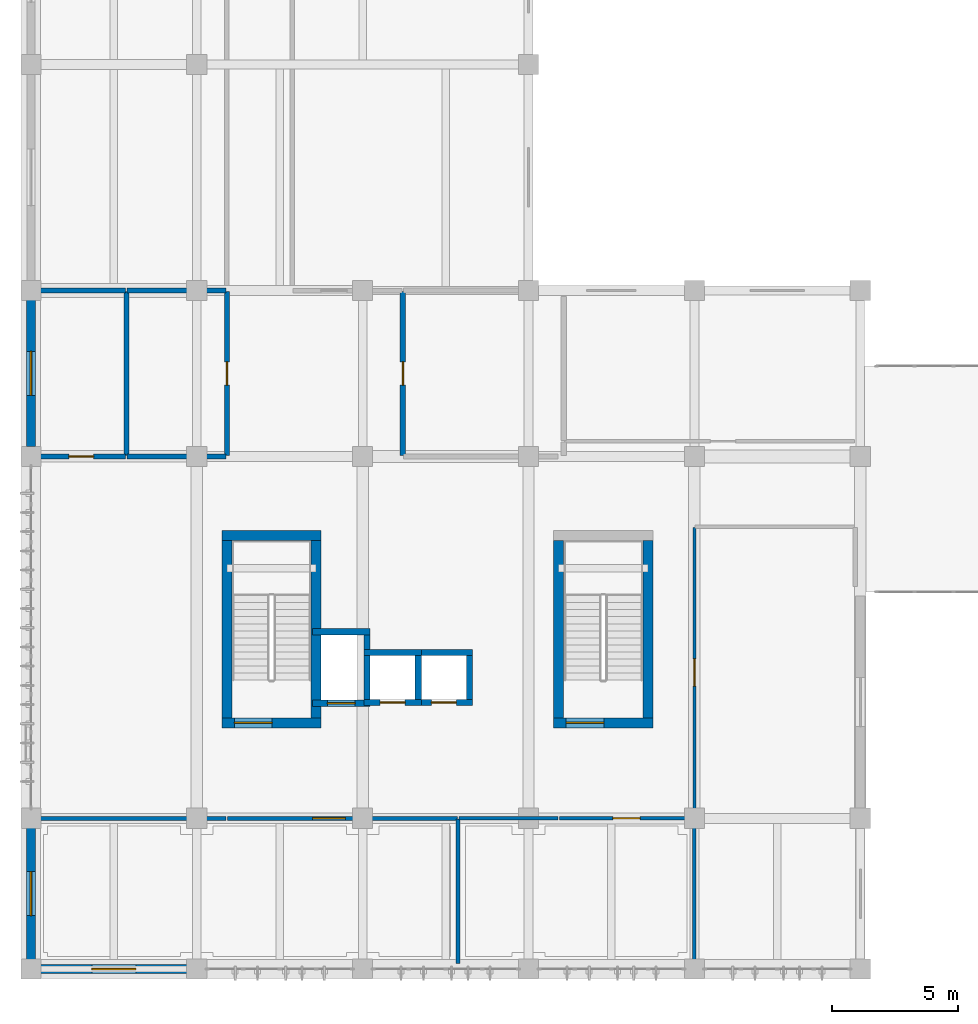
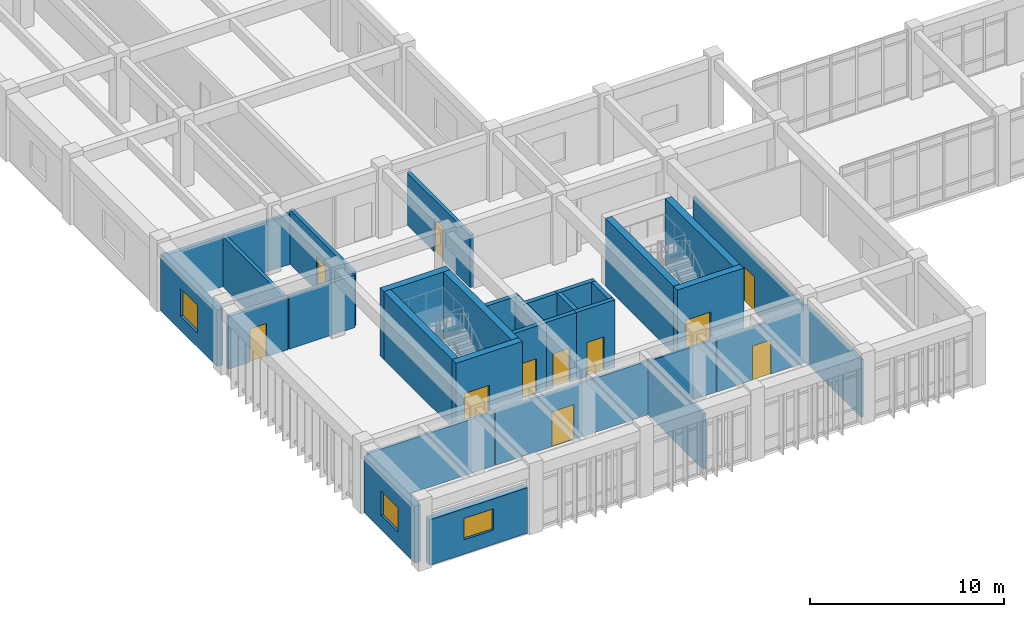
# One storey, part 41 of 54: 33 walls, 11 doors, 3 windows, 14 openings.
"""IFC4 building model written with IfcOpenShell, lengths in metres."""

import ifcopenshell
import ifcopenshell.guid

model = None  # the IFC model being written
_history = None  # IfcOwnerHistory: only IFC2X3 demands one
_inside = {}  # id of a spatial element -> (the spatial element, [elements in it])
_under = {}  # id of a project, library or spatial element -> (it, [spatial elements below it])
_declared = {}  # id of a project -> (the project, [libraries it declares])
_typed = {}  # id of a type object -> (the type object, [elements of that type])
_made_of = {}  # id of a material, layer set ... -> (it, [elements and type objects made of it])


def new_model(schema):
    """Start an empty IFC model of exactly this schema.

    Asked for "IFC4X3", IfcOpenShell would pick the latest addendum, in which some entities
    have other attributes; the version numbers below select the first issue.
    IFC2X3 requires an IfcOwnerHistory on every rooted entity: one is made here for all.
    """
    global model, _history
    if schema == "IFC4X3":
        model = ifcopenshell.file(schema_version=(4, 3, 0, 0))
    else:
        model = ifcopenshell.file(schema=schema)
    _inside.clear()
    _under.clear()
    _declared.clear()
    _typed.clear()
    _made_of.clear()
    _history = None
    if model.schema == "IFC2X3":
        org = make("IfcOrganization", Name="unknown")
        user = make(
            "IfcPersonAndOrganization",
            ThePerson=make("IfcPerson", FamilyName="unknown"),
            TheOrganization=org,
        )
        app = make(
            "IfcApplication",
            ApplicationDeveloper=org,
            Version="unknown",
            ApplicationFullName="unknown",
            ApplicationIdentifier="unknown",
        )
        _history = make(
            "IfcOwnerHistory",
            OwningUser=user,
            OwningApplication=app,
            ChangeAction="ADDED",
            CreationDate=0,
        )
    return model


def make(cls, **values):
    """One entity of the class cls with the attributes given. An attribute that is None is left unset."""
    return model.create_entity(
        cls, **{name: value for name, value in values.items() if value is not None}
    )


def rooted(cls, **values):
    """An entity with a GlobalId (a new one), such as an element, a storey or a relation."""
    return make(cls, GlobalId=ifcopenshell.guid.new(), OwnerHistory=_history, **values)


def si_unit(unit_type, name, prefix=None):
    """IfcSIUnit, for example si_unit("LENGTHUNIT", "METRE", prefix="MILLI")."""
    return make("IfcSIUnit", UnitType=unit_type, Prefix=prefix, Name=name)


def assignment(units):
    """IfcUnitAssignment: the units of a project."""
    return None if units is None else make("IfcUnitAssignment", Units=units)


def point(xyz):
    """IfcCartesianPoint."""
    return None if xyz is None else make("IfcCartesianPoint", Coordinates=xyz)


def direction(xyz):
    """IfcDirection."""
    return None if xyz is None else make("IfcDirection", DirectionRatios=xyz)


def frame(location, z_axis=None, x_axis=None):
    """IfcAxis2Placement3D, a coordinate frame: its origin and axes. An axis left out is left unset."""
    return make(
        "IfcAxis2Placement3D",
        Location=point(location),
        Axis=direction(z_axis),
        RefDirection=direction(x_axis),
    )


def frame_2d(location, x_axis=None):
    """IfcAxis2Placement2D, a coordinate frame in the plane: its origin and x axis."""
    return make(
        "IfcAxis2Placement2D", Location=point(location), RefDirection=direction(x_axis)
    )


def origin():
    """The frame at (0, 0, 0) with its axes left unset."""
    return frame((0.0, 0.0, 0.0))


def place(relative_to, where):
    """IfcLocalPlacement: puts the frame where relative to a parent placement (None: the world)."""
    return make(
        "IfcLocalPlacement", PlacementRelTo=relative_to, RelativePlacement=where
    )


def context(
    kind, dimensions, precision=None, world=None, true_north=None, identifier=None
):
    """IfcGeometricRepresentationContext, for example the 3D "Model" context."""
    return make(
        "IfcGeometricRepresentationContext",
        ContextIdentifier=identifier,
        ContextType=kind,
        CoordinateSpaceDimension=dimensions,
        Precision=precision,
        WorldCoordinateSystem=world,
        TrueNorth=true_north,
    )


def subcontext(parent, identifier, kind, view, scale=None):
    """IfcGeometricRepresentationSubContext, for example "Body" below "Model"."""
    return make(
        "IfcGeometricRepresentationSubContext",
        ContextIdentifier=identifier,
        ContextType=kind,
        ParentContext=parent,
        TargetScale=scale,
        TargetView=view,
    )


def project(units=None, contexts=None):
    """IfcProject with its units and contexts."""
    return rooted(
        "IfcProject",
        Name="project",
        RepresentationContexts=contexts,
        UnitsInContext=assignment(units),
    )


def spatial(cls, under=None, at=None, **own):
    """A site, building, storey or space (cls), placed at a placement, below another one or the project."""
    s = rooted(cls, ObjectPlacement=at, **own)
    if under is not None:
        _under.setdefault(under.id(), (under, []))[1].append(s)
    return s


def profile(cls, at=None, kind="AREA", **sizes):
    """A parametric profile (cls). Its sizes go by their IFC names, for example OverallWidth=200.0."""
    return make(cls, ProfileType=kind, Position=at, **sizes)


def rectangle(**sizes):
    """IfcRectangleProfileDef."""
    return profile("IfcRectangleProfileDef", **sizes)


def extrude(swept, where, along, depth):
    """IfcExtrudedAreaSolid: the profile swept, set in the frame where, extruded along a direction by depth."""
    return make(
        "IfcExtrudedAreaSolid",
        SweptArea=swept,
        Position=where,
        ExtrudedDirection=direction(along),
        Depth=depth,
    )


def shape(context_of_items, identifier, shape_type, items):
    """IfcShapeRepresentation: the items that make up one representation, for example the "Body"."""
    return make(
        "IfcShapeRepresentation",
        ContextOfItems=context_of_items,
        RepresentationIdentifier=identifier,
        RepresentationType=shape_type,
        Items=items,
    )


def material(Name=None, Category=None):
    """IfcMaterial."""
    return make("IfcMaterial", Name=Name, Category=Category)


def layer(
    of_material, thickness, ventilated=None, Name=None, Category=None, Priority=None
):
    """IfcMaterialLayer: one layer of a wall or slab, of a material (None: an air gap)."""
    return make(
        "IfcMaterialLayer",
        Material=of_material,
        LayerThickness=thickness,
        IsVentilated=ventilated,
        Name=Name,
        Category=Category,
        Priority=Priority,
    )


def layer_set(layers, Name=None):
    """IfcMaterialLayerSet."""
    return make("IfcMaterialLayerSet", MaterialLayers=layers, LayerSetName=Name)


def made_of(thing, what):
    """Note that an element or type object is made of a material, layer set ...; save() writes the relation."""
    if what is not None:
        _made_of.setdefault(what.id(), (what, []))[1].append(thing)
    return thing


def type_object(cls, material=None, **own):
    """A type object (cls), such as IfcWallType, which elements share."""
    return made_of(rooted(cls, **own), material)


def element(
    cls,
    number,
    at=None,
    inside=None,
    cuts=None,
    type_object=None,
    material=None,
    context=None,
    identifier="Body",
    shape_type=None,
    held_by="IfcProductDefinitionShape",
    body=None,
    shapes=None,
    **own,
):
    """One element of the class cls, such as IfcWall. Its Tag is "e" and its number.

    at: its placement. inside: the storey or other place that contains it. cuts: it is an
    opening in that element (IfcRelVoidsElement). A single representation is given by context,
    identifier, shape_type and body (its items); several are given by shapes. held_by: the class
    of the entity that holds the representations. save() writes the other relations.
    """
    e = rooted(cls, Tag="e%d" % number, ObjectPlacement=at, **own)
    if body is not None:
        shapes = [shape(context, identifier, shape_type, body)]
    if shapes is not None:
        e.Representation = make(held_by, Representations=shapes)
    if inside is not None:
        _inside.setdefault(inside.id(), (inside, []))[1].append(e)
    if cuts is not None:
        rooted(
            "IfcRelVoidsElement", RelatingBuildingElement=cuts, RelatedOpeningElement=e
        )
    if type_object is not None:
        _typed.setdefault(type_object.id(), (type_object, []))[1].append(e)
    return made_of(e, material)


def fill(opening, filler):
    """IfcRelFillsElement: the door or window that sits in an opening."""
    return rooted(
        "IfcRelFillsElement",
        RelatingOpeningElement=opening,
        RelatedBuildingElement=filler,
    )


def aggregate(whole, parts):
    """IfcRelAggregates: a whole, such as a stair, and the parts it consists of."""
    return rooted("IfcRelAggregates", RelatingObject=whole, RelatedObjects=parts)


def save(model, path):
    """Write the relations noted so far, then the file.

    IfcRelAggregates (storeys below a building ...), IfcRelContainedInSpatialStructure (elements
    in a storey), IfcRelDefinesByType, IfcRelAssociatesMaterial and IfcRelDeclares: one each for
    every whole, place, type object, material and project.
    """
    for whole, parts in _under.values():
        aggregate(whole, parts)
    for where, things in _inside.values():
        rooted(
            "IfcRelContainedInSpatialStructure",
            RelatedElements=things,
            RelatingStructure=where,
        )
    for kind, things in _typed.values():
        rooted("IfcRelDefinesByType", RelatedObjects=things, RelatingType=kind)
    for what, things in _made_of.values():
        rooted("IfcRelAssociatesMaterial", RelatedObjects=things, RelatingMaterial=what)
    for by, libraries in _declared.values():
        rooted("IfcRelDeclares", RelatingContext=by, RelatedDefinitions=libraries)
    model.write(path)


model = new_model("IFC4")

# Units and contexts
model_context = context("Model", 3, precision=1e-05, world=origin(), true_north=direction((0.0, 1.0)))
body_context = subcontext(model_context, "Body", "Model", "MODEL_VIEW")
ifc_project = project(units=[si_unit("LENGTHUNIT", "METRE"), si_unit("AREAUNIT", "SQUARE_METRE"), si_unit("VOLUMEUNIT", "CUBIC_METRE"), si_unit("PLANEANGLEUNIT", "RADIAN"), si_unit("MASSUNIT", "GRAM", prefix="KILO")], contexts=[model_context])

# Site, building, storey
site_placement = place(None, origin())
site = spatial("IfcSite", under=ifc_project, at=site_placement, CompositionType="ELEMENT")
building_placement = place(site_placement, origin())
building = spatial("IfcBuilding", under=site, at=building_placement, Name="Miralva Faculty of Natural Sciences", CompositionType="ELEMENT")
storey_placement = place(building_placement, frame((0.0, 0.0, 19.5)))
storey = spatial("IfcBuildingStorey", under=building, at=storey_placement, Name="L04", CompositionType="ELEMENT", Elevation=19.5)

# Wall, opening, door
ifc_material_1 = material(Name="Concrete C50/60", Category="concrete")
ifc_layer_1 = layer(ifc_material_1, 0.39990234375, Name="WL-CW01")
ifc_layer_set_1 = layer_set([ifc_layer_1], Name="Concrete C50/60")
wall_type_1 = type_object("IfcWallType", Name="WL-CW01", PredefinedType="SHEAR", material=ifc_layer_set_1)
wall_1_placement = place(storey_placement, frame((10.60009765625, 12.800048828125, 0.0), z_axis=(0.0, 0.0, 1.0), x_axis=(1.0, 0.0, 0.0)))
wall_1 = element("IfcWall", 1, at=wall_1_placement, inside=storey, type_object=wall_type_1, Name="Core C1 shear wall south L04", PredefinedType="SHEAR", context=body_context, shape_type="SweptSolid", body=[
    extrude(rectangle(XDim=3.949951171875, YDim=0.39990234375, at=frame_2d((1.97509765625, 0.0))), origin(), (0.0, 0.0, 1.0), 4.280029296875),
])
opening_1_placement = place(wall_1_placement, frame((0.5, 0.0, 0.0)))
opening_1 = element("IfcOpeningElement", 2, at=opening_1_placement, cuts=wall_1, Name="Opening D-11", PredefinedType="OPENING", context=body_context, shape_type="SweptSolid", body=[
    extrude(rectangle(XDim=1.5, YDim=2.199951171875, at=frame_2d((0.75, 1.10009765625))), frame((0.0, 0.2099609375, 0.0), z_axis=(0.0, -1.0, 0.0), x_axis=(1.0, 0.0, 0.0)), (0.0, 0.0, 1.0), 0.419921875),
])
ifc_material_2 = material(Name="Galvanised steel", Category="steel")
door_type_1 = type_object("IfcDoorType", Name="DR-DI11", OperationType="DOUBLE_DOOR_SINGLE_SWING", PredefinedType="DOOR", material=ifc_material_2)
door_1_placement = place(opening_1_placement, frame((1.5, 0.0, 0.0), z_axis=(0.0, 0.0, 1.0), x_axis=(-1.0, 0.0, 0.0)))
door_1 = element("IfcDoor", 3, at=door_1_placement, inside=storey, type_object=door_type_1, Name="Protected exit stair door Core C1 L04", OperationType="DOUBLE_DOOR_SINGLE_SWING", OverallHeight=2.199951171875, OverallWidth=1.5, PredefinedType="DOOR", context=body_context, shape_type="SweptSolid", body=[
    extrude(rectangle(XDim=1.5, YDim=2.199951171875, at=frame_2d((0.75, 1.10009765625))), frame((0.0, 0.02490234375, 0.0), z_axis=(0.0, -1.0, 0.0), x_axis=(1.0, 0.0, 0.0)), (0.0, 0.0, 1.0), 0.050048828125),
])
fill(opening_1, door_1)

# Walls
wall_2_placement = place(storey_placement, frame((10.60009765625, 20.25, 0.0), z_axis=(0.0, 0.0, 1.0), x_axis=(1.0, 0.0, 0.0)))
element("IfcWall", 4, at=wall_2_placement, inside=storey, type_object=wall_type_1, Name="Core C1 shear wall north L04", PredefinedType="SHEAR", context=body_context, shape_type="SweptSolid", body=[
    extrude(rectangle(XDim=3.949951171875, YDim=0.39990234375, at=frame_2d((1.97509765625, 0.0))), origin(), (0.0, 0.0, 1.0), 4.280029296875),
])
for number, where, z_axis, x_axis, name in (
    (5, (10.800048828125, 13.0, 0.0), (0.0, 0.0, 1.0), (0.0, 1.0, 0.0), "Core C1 shear wall west L04"),
    (6, (14.35009765625, 13.0, 0.0), (0.0, 0.0, 1.0), (0.0, 1.0, 0.0), "Core C1 shear wall east L04"),
):
    element("IfcWall", number, at=place(storey_placement, frame(where, z_axis=z_axis, x_axis=x_axis)), inside=storey, type_object=wall_type_1, Name=name, PredefinedType="SHEAR", context=body_context, shape_type="SweptSolid", body=[
        extrude(rectangle(XDim=7.050048828125, YDim=0.39990234375, at=frame_2d((3.52490234375, 0.0))), origin(), (0.0, 0.0, 1.0), 4.280029296875),
    ])

# Wall, opening, door
wall_3_placement = place(storey_placement, frame((23.800048828125, 12.800048828125, 0.0), z_axis=(0.0, 0.0, 1.0), x_axis=(1.0, 0.0, 0.0)))
wall_3 = element("IfcWall", 7, at=wall_3_placement, inside=storey, type_object=wall_type_1, Name="Core C1B shear wall south L04", PredefinedType="SHEAR", context=body_context, shape_type="SweptSolid", body=[
    extrude(rectangle(XDim=3.949951171875, YDim=0.39990234375, at=frame_2d((1.97509765625, 0.0))), origin(), (0.0, 0.0, 1.0), 4.280029296875),
])
opening_2_placement = place(wall_3_placement, frame((0.5, 0.0, 0.0)))
opening_2 = element("IfcOpeningElement", 8, at=opening_2_placement, cuts=wall_3, Name="Opening D-11", PredefinedType="OPENING", context=body_context, shape_type="SweptSolid", body=[
    extrude(rectangle(XDim=1.5, YDim=2.199951171875, at=frame_2d((0.75, 1.10009765625))), frame((0.0, 0.2099609375, 0.0), z_axis=(0.0, -1.0, 0.0), x_axis=(1.0, 0.0, 0.0)), (0.0, 0.0, 1.0), 0.419921875),
])
door_2_placement = place(opening_2_placement, frame((1.5, 0.0, 0.0), z_axis=(0.0, 0.0, 1.0), x_axis=(-1.0, 0.0, 0.0)))
door_2 = element("IfcDoor", 9, at=door_2_placement, inside=storey, type_object=door_type_1, Name="Protected exit stair door Core C1B L04", OperationType="DOUBLE_DOOR_SINGLE_SWING", OverallHeight=2.199951171875, OverallWidth=1.5, PredefinedType="DOOR", context=body_context, shape_type="SweptSolid", body=[
    extrude(rectangle(XDim=1.5, YDim=2.199951171875, at=frame_2d((0.75, 1.10009765625))), frame((0.0, 0.02490234375, 0.0), z_axis=(0.0, -1.0, 0.0), x_axis=(1.0, 0.0, 0.0)), (0.0, 0.0, 1.0), 0.050048828125),
])
fill(opening_2, door_2)

# Walls
for number, where, z_axis, x_axis, name in (
    (10, (24.0, 13.0, 0.0), (0.0, 0.0, 1.0), (0.0, 1.0, 0.0), "Core C1B shear wall west L04"),
    (11, (27.550048828125, 13.0, 0.0), (0.0, 0.0, 1.0), (0.0, 1.0, 0.0), "Core C1B shear wall east L04"),
):
    element("IfcWall", number, at=place(storey_placement, frame(where, z_axis=z_axis, x_axis=x_axis)), inside=storey, type_object=wall_type_1, Name=name, PredefinedType="SHEAR", context=body_context, shape_type="SweptSolid", body=[
        extrude(rectangle(XDim=7.050048828125, YDim=0.39990234375, at=frame_2d((3.52490234375, 0.0))), origin(), (0.0, 0.0, 1.0), 4.280029296875),
    ])

# Wall, opening, door
ifc_material_3 = material(Name="Concrete C40/50", Category="concrete")
ifc_layer_2 = layer(ifc_material_3, 0.25, Name="WL-CW04")
ifc_layer_set_2 = layer_set([ifc_layer_2], Name="Concrete C40/50")
wall_type_2 = type_object("IfcWallType", Name="WL-CW04", PredefinedType="SHEAR", material=ifc_layer_set_2)
wall_4_placement = place(storey_placement, frame((14.205078125, 13.580078125, 0.0), z_axis=(0.0, 0.0, 1.0), x_axis=(1.0, 0.0, 0.0)))
wall_4 = element("IfcWall", 12, at=wall_4_placement, inside=storey, type_object=wall_type_2, Name="Lift L-01 hoistway front wall L04", PredefinedType="SHEAR", context=body_context, shape_type="SweptSolid", body=[
    extrude(rectangle(XDim=2.2900390625, YDim=0.25, at=frame_2d((1.14501953125, 0.0))), origin(), (0.0, 0.0, 1.0), 4.260009765625),
])
opening_3_placement = place(wall_4_placement, frame((0.594970703125, 0.0, 0.0)))
opening_3 = element("IfcOpeningElement", 13, at=opening_3_placement, cuts=wall_4, Name="Opening LD-01", PredefinedType="OPENING", context=body_context, shape_type="SweptSolid", body=[
    extrude(rectangle(XDim=1.10009765625, YDim=2.199951171875, at=frame_2d((0.550048828125, 1.10009765625))), frame((0.0, 0.135009765625, 0.0), z_axis=(0.0, -1.0, 0.0), x_axis=(1.0, 0.0, 0.0)), (0.0, 0.0, 1.0), 0.27001953125),
])
door_type_2 = type_object("IfcDoorType", Name="DR-LD01", OperationType="SLIDING_TO_LEFT", PredefinedType="DOOR", material=ifc_material_2)
door_3_placement = place(opening_3_placement, frame((1.10009765625, 0.0, 0.0), z_axis=(0.0, 0.0, 1.0), x_axis=(-1.0, 0.0, 0.0)))
door_3 = element("IfcDoor", 14, at=door_3_placement, inside=storey, type_object=door_type_2, Name="Lift L-01 sliding landing door L04", OperationType="SLIDING_TO_LEFT", OverallHeight=2.199951171875, OverallWidth=1.10009765625, PredefinedType="DOOR", context=body_context, shape_type="SweptSolid", body=[
    extrude(rectangle(XDim=1.10009765625, YDim=2.199951171875, at=frame_2d((0.550048828125, 1.10009765625))), frame((0.0, 0.02490234375, 0.0), z_axis=(0.0, -1.0, 0.0), x_axis=(1.0, 0.0, 0.0)), (0.0, 0.0, 1.0), 0.050048828125),
])
fill(opening_3, door_3)

# Walls
wall_5_placement = place(storey_placement, frame((14.205078125, 16.419921875, 0.0), z_axis=(0.0, 0.0, 1.0), x_axis=(1.0, 0.0, 0.0)))
element("IfcWall", 15, at=wall_5_placement, inside=storey, type_object=wall_type_2, Name="Lift L-01 hoistway rear wall L04", PredefinedType="SHEAR", context=body_context, shape_type="SweptSolid", body=[
    extrude(rectangle(XDim=2.2900390625, YDim=0.25, at=frame_2d((1.14501953125, 0.0))), origin(), (0.0, 0.0, 1.0), 4.260009765625),
])
wall_6_placement = place(storey_placement, frame((16.3701171875, 13.705078125, 0.0), z_axis=(0.0, 0.0, 1.0), x_axis=(0.0, 1.0, 0.0)))
element("IfcWall", 16, at=wall_6_placement, inside=storey, type_object=wall_type_2, Name="Lift L-01 hoistway E wall L04", PredefinedType="SHEAR", context=body_context, shape_type="SweptSolid", body=[
    extrude(rectangle(XDim=2.58984375, YDim=0.25, at=frame_2d((1.294921875, 0.0))), origin(), (0.0, 0.0, 1.0), 4.260009765625),
])

# Wall, opening, door
wall_7_placement = place(storey_placement, frame((16.2451171875, 13.60498046875, 0.0), z_axis=(0.0, 0.0, 1.0), x_axis=(1.0, 0.0, 0.0)))
wall_7 = element("IfcWall", 17, at=wall_7_placement, inside=storey, type_object=wall_type_2, Name="Lift L-02 hoistway front wall L04", PredefinedType="SHEAR", context=body_context, shape_type="SweptSolid", body=[
    extrude(rectangle(XDim=2.289794921875, YDim=0.25, at=frame_2d((1.14501953125, 0.0))), origin(), (0.0, 0.0, 1.0), 4.260009765625),
])
opening_4_placement = place(wall_7_placement, frame((0.64501953125, 0.0, 0.0)))
opening_4 = element("IfcOpeningElement", 18, at=opening_4_placement, cuts=wall_7, Name="Opening LD-02", PredefinedType="OPENING", context=body_context, shape_type="SweptSolid", body=[
    extrude(rectangle(XDim=1.0, YDim=2.14990234375, at=frame_2d((0.5, 1.074951171875))), frame((0.0, 0.135009765625, 0.0), z_axis=(0.0, -1.0, 0.0), x_axis=(1.0, 0.0, 0.0)), (0.0, 0.0, 1.0), 0.27001953125),
])
door_type_3 = type_object("IfcDoorType", Name="DR-LD02", OperationType="SLIDING_TO_LEFT", PredefinedType="DOOR", material=ifc_material_2)
door_4_placement = place(opening_4_placement, frame((1.0, 0.0, 0.0), z_axis=(0.0, 0.0, 1.0), x_axis=(-1.0, 0.0, 0.0)))
door_4 = element("IfcDoor", 19, at=door_4_placement, inside=storey, type_object=door_type_3, Name="Lift L-02 sliding landing door L04", OperationType="SLIDING_TO_LEFT", OverallHeight=2.14990234375, OverallWidth=1.0, PredefinedType="DOOR", context=body_context, shape_type="SweptSolid", body=[
    extrude(rectangle(XDim=1.0, YDim=2.14990234375, at=frame_2d((0.5, 1.074951171875))), frame((0.0, 0.02490234375, 0.0), z_axis=(0.0, -1.0, 0.0), x_axis=(1.0, 0.0, 0.0)), (0.0, 0.0, 1.0), 0.050048828125),
])
fill(opening_4, door_4)

# Walls
wall_8_placement = place(storey_placement, frame((16.2451171875, 15.594970703125, 0.0), z_axis=(0.0, 0.0, 1.0), x_axis=(1.0, 0.0, 0.0)))
element("IfcWall", 20, at=wall_8_placement, inside=storey, type_object=wall_type_2, Name="Lift L-02 hoistway rear wall L04", PredefinedType="SHEAR", context=body_context, shape_type="SweptSolid", body=[
    extrude(rectangle(XDim=2.289794921875, YDim=0.25, at=frame_2d((1.14501953125, 0.0))), origin(), (0.0, 0.0, 1.0), 4.260009765625),
])
wall_9_placement = place(storey_placement, frame((18.409912109375, 13.72998046875, 0.0), z_axis=(0.0, 0.0, 1.0), x_axis=(0.0, 1.0, 0.0)))
element("IfcWall", 21, at=wall_9_placement, inside=storey, type_object=wall_type_2, Name="Lift L-02 hoistway E wall L04", PredefinedType="SHEAR", context=body_context, shape_type="SweptSolid", body=[
    extrude(rectangle(XDim=1.739990234375, YDim=0.25, at=frame_2d((0.8701171875, 0.0))), origin(), (0.0, 0.0, 1.0), 4.260009765625),
])

# Wall, opening, door
wall_10_placement = place(storey_placement, frame((18.284912109375, 13.60498046875, 0.0), z_axis=(0.0, 0.0, 1.0), x_axis=(1.0, 0.0, 0.0)))
wall_10 = element("IfcWall", 22, at=wall_10_placement, inside=storey, type_object=wall_type_2, Name="Lift L-03 hoistway front wall L04", PredefinedType="SHEAR", context=body_context, shape_type="SweptSolid", body=[
    extrude(rectangle(XDim=2.2900390625, YDim=0.25, at=frame_2d((1.14501953125, 0.0))), origin(), (0.0, 0.0, 1.0), 4.260009765625),
])
opening_5_placement = place(wall_10_placement, frame((0.64501953125, 0.0, 0.0)))
opening_5 = element("IfcOpeningElement", 23, at=opening_5_placement, cuts=wall_10, Name="Opening LD-02", PredefinedType="OPENING", context=body_context, shape_type="SweptSolid", body=[
    extrude(rectangle(XDim=1.0, YDim=2.14990234375, at=frame_2d((0.5, 1.074951171875))), frame((0.0, 0.135009765625, 0.0), z_axis=(0.0, -1.0, 0.0), x_axis=(1.0, 0.0, 0.0)), (0.0, 0.0, 1.0), 0.27001953125),
])
door_5_placement = place(opening_5_placement, frame((1.0, 0.0, 0.0), z_axis=(0.0, 0.0, 1.0), x_axis=(-1.0, 0.0, 0.0)))
door_5 = element("IfcDoor", 24, at=door_5_placement, inside=storey, type_object=door_type_3, Name="Lift L-03 sliding landing door L04", OperationType="SLIDING_TO_LEFT", OverallHeight=2.14990234375, OverallWidth=1.0, PredefinedType="DOOR", context=body_context, shape_type="SweptSolid", body=[
    extrude(rectangle(XDim=1.0, YDim=2.14990234375, at=frame_2d((0.5, 1.074951171875))), frame((0.0, 0.02490234375, 0.0), z_axis=(0.0, -1.0, 0.0), x_axis=(1.0, 0.0, 0.0)), (0.0, 0.0, 1.0), 0.050048828125),
])
fill(opening_5, door_5)

# Walls
wall_11_placement = place(storey_placement, frame((18.284912109375, 15.594970703125, 0.0), z_axis=(0.0, 0.0, 1.0), x_axis=(1.0, 0.0, 0.0)))
element("IfcWall", 25, at=wall_11_placement, inside=storey, type_object=wall_type_2, Name="Lift L-03 hoistway rear wall L04", PredefinedType="SHEAR", context=body_context, shape_type="SweptSolid", body=[
    extrude(rectangle(XDim=2.2900390625, YDim=0.25, at=frame_2d((1.14501953125, 0.0))), origin(), (0.0, 0.0, 1.0), 4.260009765625),
])
wall_12_placement = place(storey_placement, frame((20.449951171875, 13.72998046875, 0.0), z_axis=(0.0, 0.0, 1.0), x_axis=(0.0, 1.0, 0.0)))
element("IfcWall", 26, at=wall_12_placement, inside=storey, type_object=wall_type_2, Name="Lift L-03 hoistway E wall L04", PredefinedType="SHEAR", context=body_context, shape_type="SweptSolid", body=[
    extrude(rectangle(XDim=1.739990234375, YDim=0.25, at=frame_2d((0.8701171875, 0.0))), origin(), (0.0, 0.0, 1.0), 4.260009765625),
])
ifc_material_4 = material(Name="Gypsum plasterboard")
ifc_layer_3 = layer(ifc_material_4, 0.159912109375, Name="WL-PT03")
ifc_layer_set_3 = layer_set([ifc_layer_3], Name="Gypsum plasterboard")
wall_type_3 = type_object("IfcWallType", Name="WL-PT03", PredefinedType="PARTITIONING", material=ifc_layer_set_3)
wall_13_placement = place(storey_placement, frame((20.0, 3.22998046875, 0.0), z_axis=(0.0, 0.0, 1.0), x_axis=(0.0, 1.0, 0.0)))
element("IfcWall", 27, at=wall_13_placement, inside=storey, type_object=wall_type_3, Name="Interior partition PT-03 L04-397", PredefinedType="PARTITIONING", context=body_context, shape_type="SweptSolid", body=[
    extrude(rectangle(XDim=5.739990234375, YDim=0.159912109375, at=frame_2d((2.8701171875, 0.0))), origin(), (0.0, 0.0, 1.0), 3.52490234375),
])
wall_14_placement = place(storey_placement, frame((3.22998046875, 9.0, 0.0), z_axis=(0.0, 0.0, 1.0), x_axis=(1.0, 0.0, 0.0)))
element("IfcWall", 28, at=wall_14_placement, inside=storey, type_object=wall_type_3, Name="Interior partition PT-03 L04-398", PredefinedType="PARTITIONING", context=body_context, shape_type="SweptSolid", body=[
    extrude(rectangle(XDim=7.5400390625, YDim=0.159912109375, at=frame_2d((3.77001953125, 0.0))), origin(), (0.0, 0.0, 1.0), 3.4150390625),
])

# Wall, opening, door
wall_15_placement = place(storey_placement, frame((10.830078125, 9.0, 0.0), z_axis=(0.0, 0.0, 1.0), x_axis=(1.0, 0.0, 0.0)))
wall_15 = element("IfcWall", 29, at=wall_15_placement, inside=storey, type_object=wall_type_3, Name="Interior partition PT-03 L04-399", PredefinedType="PARTITIONING", context=body_context, shape_type="SweptSolid", body=[
    extrude(rectangle(XDim=9.139892578125, YDim=0.159912109375, at=frame_2d((4.56982421875, 0.0))), origin(), (0.0, 0.0, 1.0), 3.4150390625),
])
opening_6_placement = place(wall_15_placement, frame((3.3798828125, 0.0, 0.0)))
opening_6 = element("IfcOpeningElement", 30, at=opening_6_placement, cuts=wall_15, Name="Opening D-36", PredefinedType="OPENING", context=body_context, shape_type="SweptSolid", body=[
    extrude(rectangle(XDim=1.300048828125, YDim=2.199951171875, at=frame_2d((0.64990234375, 1.10009765625))), frame((0.0, 0.08984375, 0.0), z_axis=(0.0, -1.0, 0.0), x_axis=(1.0, 0.0, 0.0)), (0.0, 0.0, 1.0), 0.179931640625),
])
ifc_material_5 = material(Name="Anodised aluminium", Category="aluminium")
door_type_4 = type_object("IfcDoorType", Name="DR-DI36", OperationType="NOTDEFINED", PredefinedType="DOOR", material=ifc_material_5)
door_6_placement = place(opening_6_placement, origin())
door_6 = element("IfcDoor", 31, at=door_6_placement, inside=storey, type_object=door_type_4, Name="Interior door D-36 L04-148", OperationType="SINGLE_SWING_LEFT", OverallHeight=2.199951171875, OverallWidth=1.300048828125, PredefinedType="DOOR", context=body_context, shape_type="SweptSolid", body=[
    extrude(rectangle(XDim=1.300048828125, YDim=2.199951171875, at=frame_2d((0.64990234375, 1.10009765625))), frame((0.0, 0.02490234375, 0.0), z_axis=(0.0, -1.0, 0.0), x_axis=(1.0, 0.0, 0.0)), (0.0, 0.0, 1.0), 0.050048828125),
])
fill(opening_6, door_6)

# Wall
ifc_layer_4 = layer(ifc_material_4, 0.139892578125, Name="WL-PT04")
ifc_layer_set_4 = layer_set([ifc_layer_4], Name="Gypsum plasterboard")
wall_type_4 = type_object("IfcWallType", Name="WL-PT04", PredefinedType="PARTITIONING", material=ifc_layer_set_4)
wall_16_placement = place(storey_placement, frame((29.39990234375, 3.22998046875, 0.0), z_axis=(0.0, 0.0, 1.0), x_axis=(0.0, 1.0, 0.0)))
element("IfcWall", 32, at=wall_16_placement, inside=storey, type_object=wall_type_4, Name="Interior partition PT-04 L04-400", PredefinedType="PARTITIONING", context=body_context, shape_type="SweptSolid", body=[
    extrude(rectangle(XDim=5.739990234375, YDim=0.139892578125, at=frame_2d((2.8701171875, 0.0))), origin(), (0.0, 0.0, 1.0), 3.625),
])

# Wall, opening, door
wall_17_placement = place(storey_placement, frame((24.030029296875, 9.0, 0.0), z_axis=(0.0, 0.0, 1.0), x_axis=(1.0, 0.0, 0.0)))
wall_17 = element("IfcWall", 33, at=wall_17_placement, inside=storey, type_object=wall_type_4, Name="Interior partition PT-04 L04-401", PredefinedType="PARTITIONING", context=body_context, shape_type="SweptSolid", body=[
    extrude(rectangle(XDim=5.340087890625, YDim=0.139892578125, at=frame_2d((2.669921875, 0.0))), origin(), (0.0, 0.0, 1.0), 3.35498046875),
])
opening_7_placement = place(wall_17_placement, frame((2.1298828125, 0.0, 0.0)))
opening_7 = element("IfcOpeningElement", 34, at=opening_7_placement, cuts=wall_17, Name="Opening D-32", PredefinedType="OPENING", context=body_context, shape_type="SweptSolid", body=[
    extrude(rectangle(XDim=1.080078125, YDim=2.14990234375, at=frame_2d((0.5400390625, 1.074951171875))), frame((0.0, 0.079833984375, 0.0), z_axis=(0.0, -1.0, 0.0), x_axis=(1.0, 0.0, 0.0)), (0.0, 0.0, 1.0), 0.159912109375),
])
door_type_5 = type_object("IfcDoorType", Name="DR-DI32", OperationType="NOTDEFINED", PredefinedType="DOOR", material=ifc_material_5)
door_7_placement = place(opening_7_placement, origin())
door_7 = element("IfcDoor", 35, at=door_7_placement, inside=storey, type_object=door_type_5, Name="Interior door D-32 L04-149", OperationType="SINGLE_SWING_RIGHT", OverallHeight=2.14990234375, OverallWidth=1.080078125, PredefinedType="DOOR", context=body_context, shape_type="SweptSolid", body=[
    extrude(rectangle(XDim=1.080078125, YDim=2.14990234375, at=frame_2d((0.5400390625, 1.074951171875))), frame((0.0, 0.02490234375, 0.0), z_axis=(0.0, -1.0, 0.0), x_axis=(1.0, 0.0, 0.0)), (0.0, 0.0, 1.0), 0.050048828125),
])
fill(opening_7, door_7)

# Wall
wall_18_placement = place(storey_placement, frame((20.030029296875, 9.0, 0.0), z_axis=(0.0, 0.0, 1.0), x_axis=(1.0, 0.0, 0.0)))
element("IfcWall", 36, at=wall_18_placement, inside=storey, type_object=wall_type_4, Name="Interior partition PT-04 L04-402", PredefinedType="PARTITIONING", context=body_context, shape_type="SweptSolid", body=[
    extrude(rectangle(XDim=3.93994140625, YDim=0.139892578125, at=frame_2d((1.969970703125, 0.0))), origin(), (0.0, 0.0, 1.0), 3.35498046875),
])

# Wall, opening, door
ifc_layer_5 = layer(ifc_material_4, 0.125, Name="WL-PT05")
ifc_layer_set_5 = layer_set([ifc_layer_5], Name="Gypsum plasterboard")
wall_type_5 = type_object("IfcWallType", Name="WL-PT05", PredefinedType="PARTITIONING", material=ifc_layer_set_5)
wall_19_placement = place(storey_placement, frame((29.39990234375, 9.030029296875, 0.0), z_axis=(0.0, 0.0, 1.0), x_axis=(0.0, 1.0, 0.0)))
wall_19 = element("IfcWall", 37, at=wall_19_placement, inside=storey, type_object=wall_type_5, Name="Interior partition PT-05 L04-403", PredefinedType="PARTITIONING", context=body_context, shape_type="SweptSolid", body=[
    extrude(rectangle(XDim=11.5400390625, YDim=0.125, at=frame_2d((5.77001953125, 0.0))), origin(), (0.0, 0.0, 1.0), 3.425048828125),
])
opening_8_placement = place(wall_19_placement, frame((5.22998046875, 0.0, 0.0)))
opening_8 = element("IfcOpeningElement", 38, at=opening_8_placement, cuts=wall_19, Name="Opening D-32", PredefinedType="OPENING", context=body_context, shape_type="SweptSolid", body=[
    extrude(rectangle(XDim=1.080078125, YDim=2.14990234375, at=frame_2d((0.5400390625, 1.074951171875))), frame((0.0, 0.072509765625, 0.0), z_axis=(0.0, -1.0, 0.0), x_axis=(1.0, 0.0, 0.0)), (0.0, 0.0, 1.0), 0.14501953125),
])
door_8_placement = place(opening_8_placement, origin())
door_8 = element("IfcDoor", 39, at=door_8_placement, inside=storey, type_object=door_type_5, Name="Interior door D-32 L04-150", OperationType="SINGLE_SWING_LEFT", OverallHeight=2.14990234375, OverallWidth=1.080078125, PredefinedType="DOOR", context=body_context, shape_type="SweptSolid", body=[
    extrude(rectangle(XDim=1.080078125, YDim=2.14990234375, at=frame_2d((0.5400390625, 1.074951171875))), frame((0.0, 0.02490234375, 0.0), z_axis=(0.0, -1.0, 0.0), x_axis=(1.0, 0.0, 0.0)), (0.0, 0.0, 1.0), 0.050048828125),
])
fill(opening_8, door_8)

# Wall
ifc_layer_6 = layer(ifc_material_4, 0.2099609375, Name="WL-PT06")
ifc_layer_set_6 = layer_set([ifc_layer_6], Name="Gypsum plasterboard")
wall_type_6 = type_object("IfcWallType", Name="WL-PT06", PredefinedType="PLUMBINGWALL", material=ifc_layer_set_6)
wall_20_placement = place(storey_placement, frame((6.800048828125, 23.429931640625, 0.0), z_axis=(0.0, 0.0, 1.0), x_axis=(0.0, 1.0, 0.0)))
element("IfcWall", 40, at=wall_20_placement, inside=storey, type_object=wall_type_6, Name="Interior partition PT-06 L04-406", PredefinedType="PLUMBINGWALL", context=body_context, shape_type="SweptSolid", body=[
    extrude(rectangle(XDim=6.5400390625, YDim=0.2099609375, at=frame_2d((3.27001953125, 0.0))), origin(), (0.0, 0.0, 1.0), 3.155029296875),
])

# Wall, opening, door
wall_21_placement = place(storey_placement, frame((3.22998046875, 23.39990234375, 0.0), z_axis=(0.0, 0.0, 1.0), x_axis=(1.0, 0.0, 0.0)))
wall_21 = element("IfcWall", 41, at=wall_21_placement, inside=storey, type_object=wall_type_6, Name="Interior partition PT-06 L04-407", PredefinedType="PLUMBINGWALL", context=body_context, shape_type="SweptSolid", body=[
    extrude(rectangle(XDim=3.5400390625, YDim=0.2099609375, at=frame_2d((1.77001953125, 0.0))), origin(), (0.0, 0.0, 1.0), 3.31494140625),
])
opening_9_placement = place(wall_21_placement, frame((1.280029296875, 0.0, 0.0)))
opening_9 = element("IfcOpeningElement", 42, at=opening_9_placement, cuts=wall_21, Name="Opening D-26", PredefinedType="OPENING", context=body_context, shape_type="SweptSolid", body=[
    extrude(rectangle(XDim=0.97998046875, YDim=2.10009765625, at=frame_2d((0.489990234375, 1.050048828125))), frame((0.0, 0.114990234375, 0.0), z_axis=(0.0, -1.0, 0.0), x_axis=(1.0, 0.0, 0.0)), (0.0, 0.0, 1.0), 0.22998046875),
])
door_type_6 = type_object("IfcDoorType", Name="DR-DI26", OperationType="NOTDEFINED", PredefinedType="DOOR", material=ifc_material_5)
door_9_placement = place(opening_9_placement, origin())
door_9 = element("IfcDoor", 43, at=door_9_placement, inside=storey, type_object=door_type_6, Name="Interior door D-26 L04-151", OperationType="SINGLE_SWING_RIGHT", OverallHeight=2.10009765625, OverallWidth=0.97998046875, PredefinedType="DOOR", context=body_context, shape_type="SweptSolid", body=[
    extrude(rectangle(XDim=0.97998046875, YDim=2.10009765625, at=frame_2d((0.489990234375, 1.050048828125))), frame((0.0, 0.02490234375, 0.0), z_axis=(0.0, -1.0, 0.0), x_axis=(1.0, 0.0, 0.0)), (0.0, 0.0, 1.0), 0.050048828125),
])
fill(opening_9, door_9)

# Walls
wall_22_placement = place(storey_placement, frame((3.22998046875, 30.0, 0.0), z_axis=(0.0, 0.0, 1.0), x_axis=(1.0, 0.0, 0.0)))
element("IfcWall", 44, at=wall_22_placement, inside=storey, type_object=wall_type_6, Name="Interior partition PT-06 L04-408", PredefinedType="PLUMBINGWALL", context=body_context, shape_type="SweptSolid", body=[
    extrude(rectangle(XDim=3.5400390625, YDim=0.2099609375, at=frame_2d((1.77001953125, 0.0))), origin(), (0.0, 0.0, 1.0), 3.155029296875),
])
wall_23_placement = place(storey_placement, frame((6.830078125, 23.39990234375, 0.0), z_axis=(0.0, 0.0, 1.0), x_axis=(1.0, 0.0, 0.0)))
element("IfcWall", 45, at=wall_23_placement, inside=storey, type_object=wall_type_6, Name="Interior partition PT-06 L04-409", PredefinedType="PLUMBINGWALL", context=body_context, shape_type="SweptSolid", body=[
    extrude(rectangle(XDim=3.93994140625, YDim=0.2099609375, at=frame_2d((1.969970703125, 0.0))), origin(), (0.0, 0.0, 1.0), 3.31494140625),
])

# Wall, opening, door
wall_24_placement = place(storey_placement, frame((10.800048828125, 23.429931640625, 0.0), z_axis=(0.0, 0.0, 1.0), x_axis=(0.0, 1.0, 0.0)))
wall_24 = element("IfcWall", 46, at=wall_24_placement, inside=storey, type_object=wall_type_6, Name="Interior partition PT-06 L04-410", PredefinedType="PLUMBINGWALL", context=body_context, shape_type="SweptSolid", body=[
    extrude(rectangle(XDim=6.5400390625, YDim=0.2099609375, at=frame_2d((3.27001953125, 0.0))), origin(), (0.0, 0.0, 1.0), 3.425048828125),
])
opening_10_placement = place(wall_24_placement, frame((2.81005859375, 0.0, 0.0)))
opening_10 = element("IfcOpeningElement", 47, at=opening_10_placement, cuts=wall_24, Name="Opening D-27", PredefinedType="OPENING", context=body_context, shape_type="SweptSolid", body=[
    extrude(rectangle(XDim=0.919921875, YDim=2.10009765625, at=frame_2d((0.4599609375, 1.050048828125))), frame((0.0, 0.114990234375, 0.0), z_axis=(0.0, -1.0, 0.0), x_axis=(1.0, 0.0, 0.0)), (0.0, 0.0, 1.0), 0.22998046875),
])
door_type_7 = type_object("IfcDoorType", Name="DR-DI27", OperationType="NOTDEFINED", PredefinedType="DOOR", material=ifc_material_5)
door_10_placement = place(opening_10_placement, origin())
door_10 = element("IfcDoor", 48, at=door_10_placement, inside=storey, type_object=door_type_7, Name="Interior door D-27 L04-152", OperationType="SINGLE_SWING_LEFT", OverallHeight=2.10009765625, OverallWidth=0.919921875, PredefinedType="DOOR", context=body_context, shape_type="SweptSolid", body=[
    extrude(rectangle(XDim=0.919921875, YDim=2.10009765625, at=frame_2d((0.4599609375, 1.050048828125))), frame((0.0, 0.02490234375, 0.0), z_axis=(0.0, -1.0, 0.0), x_axis=(1.0, 0.0, 0.0)), (0.0, 0.0, 1.0), 0.050048828125),
])
fill(opening_10, door_10)

# Wall
wall_25_placement = place(storey_placement, frame((6.830078125, 30.0, 0.0), z_axis=(0.0, 0.0, 1.0), x_axis=(1.0, 0.0, 0.0)))
element("IfcWall", 49, at=wall_25_placement, inside=storey, type_object=wall_type_6, Name="Interior partition PT-06 L04-411", PredefinedType="PLUMBINGWALL", context=body_context, shape_type="SweptSolid", body=[
    extrude(rectangle(XDim=3.93994140625, YDim=0.2099609375, at=frame_2d((1.969970703125, 0.0))), origin(), (0.0, 0.0, 1.0), 3.155029296875),
])

# Wall, opening, door
wall_26_placement = place(storey_placement, frame((17.800048828125, 23.429931640625, 0.0), z_axis=(0.0, 0.0, 1.0), x_axis=(0.0, 1.0, 0.0)))
wall_26 = element("IfcWall", 50, at=wall_26_placement, inside=storey, type_object=wall_type_6, Name="Interior partition PT-06 L04-414", PredefinedType="PLUMBINGWALL", context=body_context, shape_type="SweptSolid", body=[
    extrude(rectangle(XDim=6.5400390625, YDim=0.2099609375, at=frame_2d((3.27001953125, 0.0))), origin(), (0.0, 0.0, 1.0), 3.294921875),
])
opening_11_placement = place(wall_26_placement, frame((2.81005859375, 0.0, 0.0)))
opening_11 = element("IfcOpeningElement", 51, at=opening_11_placement, cuts=wall_26, Name="Opening D-27", PredefinedType="OPENING", context=body_context, shape_type="SweptSolid", body=[
    extrude(rectangle(XDim=0.919921875, YDim=2.10009765625, at=frame_2d((0.4599609375, 1.050048828125))), frame((0.0, 0.114990234375, 0.0), z_axis=(0.0, -1.0, 0.0), x_axis=(1.0, 0.0, 0.0)), (0.0, 0.0, 1.0), 0.22998046875),
])
door_11_placement = place(opening_11_placement, origin())
door_11 = element("IfcDoor", 52, at=door_11_placement, inside=storey, type_object=door_type_7, Name="Interior door D-27 L04-153", OperationType="SINGLE_SWING_RIGHT", OverallHeight=2.10009765625, OverallWidth=0.919921875, PredefinedType="DOOR", context=body_context, shape_type="SweptSolid", body=[
    extrude(rectangle(XDim=0.919921875, YDim=2.10009765625, at=frame_2d((0.4599609375, 1.050048828125))), frame((0.0, 0.02490234375, 0.0), z_axis=(0.0, -1.0, 0.0), x_axis=(1.0, 0.0, 0.0)), (0.0, 0.0, 1.0), 0.050048828125),
])
fill(opening_11, door_11)

# Wall, opening, window
ifc_material_6 = material(Name="Volcanic tuff architectural stone", Category="masonry")
ifc_layer_7 = layer(ifc_material_6, 0.360107421875, Name="WL-WT01")
ifc_layer_set_7 = layer_set([ifc_layer_7], Name="Volcanic tuff architectural stone")
wall_type_7 = type_object("IfcWallType", Name="WL-WT01", PredefinedType="SOLIDWALL", material=ifc_layer_set_7)
wall_27_placement = place(storey_placement, frame((3.385009765625, 3.0, 0.0), z_axis=(0.0, 0.0, 1.0), x_axis=(1.0, 0.0, 0.0)))
wall_27 = element("IfcWall", 53, at=wall_27_placement, inside=storey, type_object=wall_type_7, Name="Exterior wall L04-91", PredefinedType="SOLIDWALL", context=body_context, shape_type="SweptSolid", body=[
    extrude(rectangle(XDim=5.830078125, YDim=0.360107421875, at=frame_2d((2.9150390625, 0.0))), origin(), (0.0, 0.0, 1.0), 2.8701171875),
])
opening_12_placement = place(wall_27_placement, frame((2.0400390625, 0.0, 0.89990234375)))
opening_12 = element("IfcOpeningElement", 54, at=opening_12_placement, cuts=wall_27, Name="Opening W-62", PredefinedType="OPENING", context=body_context, shape_type="SweptSolid", body=[
    extrude(rectangle(XDim=1.75, YDim=1.35009765625, at=frame_2d((0.875, 0.675048828125))), frame((0.0, 0.18994140625, 0.0), z_axis=(0.0, -1.0, 0.0), x_axis=(1.0, 0.0, 0.0)), (0.0, 0.0, 1.0), 0.380126953125),
])
ifc_material_7 = material(Name="Laminated solar-control glass", Category="glass")
window_type_1 = type_object("IfcWindowType", Name="WN-W62", PartitioningType="DOUBLE_PANEL_VERTICAL", PredefinedType="WINDOW", material=ifc_material_7)
window_1_placement = place(opening_12_placement, frame((1.75, 0.0, 0.0), z_axis=(0.0, 0.0, 1.0), x_axis=(-1.0, 0.0, 0.0)))
window_1 = element("IfcWindow", 55, at=window_1_placement, inside=storey, type_object=window_type_1, Name="Window W-62 L04-37", OverallHeight=1.35009765625, OverallWidth=1.75, PartitioningType="DOUBLE_PANEL_VERTICAL", PredefinedType="WINDOW", context=body_context, shape_type="SweptSolid", body=[
    extrude(rectangle(XDim=1.75, YDim=1.35009765625, at=frame_2d((0.875, 0.675048828125))), frame((0.0, 0.030029296875, 0.0), z_axis=(0.0, -1.0, 0.0), x_axis=(1.0, 0.0, 0.0)), (0.0, 0.0, 1.0), 0.06005859375),
])
fill(opening_12, window_1)

wall_28_placement = place(storey_placement, frame((3.0, 3.385009765625, 0.0), z_axis=(0.0, 0.0, 1.0), x_axis=(0.0, 1.0, 0.0)))
wall_28 = element("IfcWall", 56, at=wall_28_placement, inside=storey, type_object=wall_type_7, Name="Exterior wall L04-92", PredefinedType="SOLIDWALL", context=body_context, shape_type="SweptSolid", body=[
    extrude(rectangle(XDim=5.22998046875, YDim=0.360107421875, at=frame_2d((2.614990234375, 0.0))), origin(), (0.0, 0.0, 1.0), 3.574951171875),
])
opening_13_placement = place(wall_28_placement, frame((1.739990234375, 0.0, 0.89990234375)))
opening_13 = element("IfcOpeningElement", 57, at=opening_13_placement, cuts=wall_28, Name="Opening W-63", PredefinedType="OPENING", context=body_context, shape_type="SweptSolid", body=[
    extrude(rectangle(XDim=1.75, YDim=1.550048828125, at=frame_2d((0.875, 0.77490234375))), frame((0.0, 0.18994140625, 0.0), z_axis=(0.0, -1.0, 0.0), x_axis=(1.0, 0.0, 0.0)), (0.0, 0.0, 1.0), 0.380126953125),
])
window_type_2 = type_object("IfcWindowType", Name="WN-W63", PartitioningType="DOUBLE_PANEL_VERTICAL", PredefinedType="WINDOW", material=ifc_material_7)
window_2_placement = place(opening_13_placement, origin())
window_2 = element("IfcWindow", 58, at=window_2_placement, inside=storey, type_object=window_type_2, Name="Window W-63 L04-38", OverallHeight=1.550048828125, OverallWidth=1.75, PartitioningType="DOUBLE_PANEL_VERTICAL", PredefinedType="WINDOW", context=body_context, shape_type="SweptSolid", body=[
    extrude(rectangle(XDim=1.75, YDim=1.550048828125, at=frame_2d((0.875, 0.77490234375))), frame((0.0, 0.030029296875, 0.0), z_axis=(0.0, -1.0, 0.0), x_axis=(1.0, 0.0, 0.0)), (0.0, 0.0, 1.0), 0.06005859375),
])
fill(opening_13, window_2)

wall_29_placement = place(storey_placement, frame((3.0, 23.784912109375, 0.0), z_axis=(0.0, 0.0, 1.0), x_axis=(0.0, 1.0, 0.0)))
wall_29 = element("IfcWall", 59, at=wall_29_placement, inside=storey, type_object=wall_type_7, Name="Exterior wall L04-93", PredefinedType="SOLIDWALL", context=body_context, shape_type="SweptSolid", body=[
    extrude(rectangle(XDim=5.830078125, YDim=0.360107421875, at=frame_2d((2.9150390625, 0.0))), origin(), (0.0, 0.0, 1.0), 3.574951171875),
])
opening_14_placement = place(wall_29_placement, frame((2.0400390625, 0.0, 0.89990234375)))
opening_14 = element("IfcOpeningElement", 60, at=opening_14_placement, cuts=wall_29, Name="Opening W-64", PredefinedType="OPENING", context=body_context, shape_type="SweptSolid", body=[
    extrude(rectangle(XDim=1.75, YDim=1.75, at=frame_2d((0.875, 0.875))), frame((0.0, 0.18994140625, 0.0), z_axis=(0.0, -1.0, 0.0), x_axis=(1.0, 0.0, 0.0)), (0.0, 0.0, 1.0), 0.380126953125),
])
window_type_3 = type_object("IfcWindowType", Name="WN-W64", PartitioningType="DOUBLE_PANEL_VERTICAL", PredefinedType="WINDOW", material=ifc_material_7)
window_3_placement = place(opening_14_placement, origin())
window_3 = element("IfcWindow", 61, at=window_3_placement, inside=storey, type_object=window_type_3, Name="Window W-64 L04-39", OverallHeight=1.75, OverallWidth=1.75, PartitioningType="DOUBLE_PANEL_VERTICAL", PredefinedType="WINDOW", context=body_context, shape_type="SweptSolid", body=[
    extrude(rectangle(XDim=1.75, YDim=1.75, at=frame_2d((0.875, 0.875))), frame((0.0, 0.030029296875, 0.0), z_axis=(0.0, -1.0, 0.0), x_axis=(1.0, 0.0, 0.0)), (0.0, 0.0, 1.0), 0.06005859375),
])
fill(opening_14, window_3)

save(model, "model.ifc")
